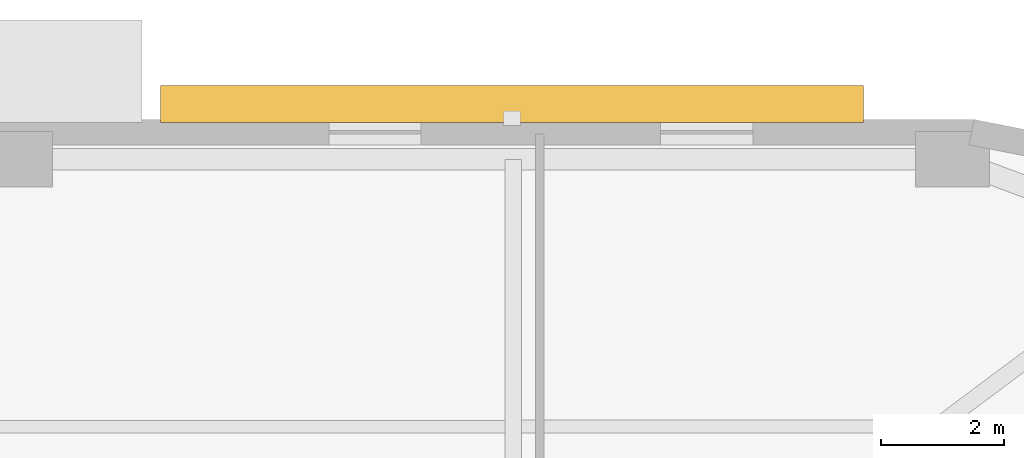
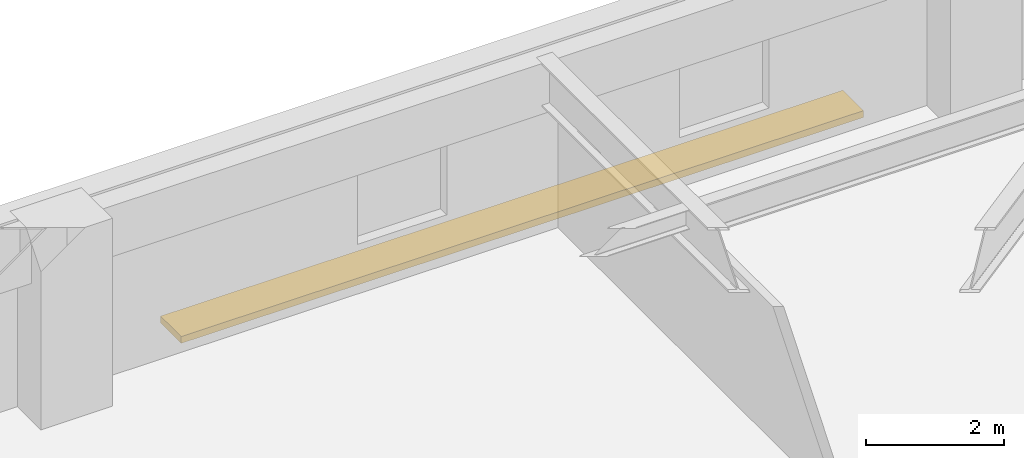
# One storey, part 14 of 14: 1 shading device.
"""IFC4 building model written with IfcOpenShell, lengths in metres."""

from ifc_helpers import new_model, si_unit, direction, frame, origin, origin_2d, place, context, subcontext, project, spatial, rectangle, extrude, material, type_object, element, save


model = new_model("IFC4")

# Units and contexts
model_context = context("Model", 3, precision=1e-05, world=origin(), true_north=direction((0.0, 1.0)))
body_context = subcontext(model_context, "Body", "Model", "MODEL_VIEW")
ifc_project = project(units=[si_unit("LENGTHUNIT", "METRE"), si_unit("AREAUNIT", "SQUARE_METRE"), si_unit("VOLUMEUNIT", "CUBIC_METRE"), si_unit("PLANEANGLEUNIT", "RADIAN"), si_unit("MASSUNIT", "GRAM", prefix="KILO")], contexts=[model_context])

# Site, building, storey
site_placement = place(None, origin())
site = spatial("IfcSite", under=ifc_project, at=site_placement, CompositionType="ELEMENT")
building_placement = place(site_placement, origin())
building = spatial("IfcBuilding", under=site, at=building_placement, Name="Kolvaren Arena Tower", CompositionType="ELEMENT")
storey_placement = place(building_placement, frame((0.0, 0.0, 90.75)))
storey = spatial("IfcBuildingStorey", under=building, at=storey_placement, Name="L20", CompositionType="ELEMENT", Elevation=90.75)

# Shading device
ifc_material = material(Name="Architectural precast GFRC and anodised aluminium sunshade", Category="concrete")
shading_device_type = type_object("IfcShadingDeviceType", Name="SHAD-SINE-A", PredefinedType="USERDEFINED", material=ifc_material)
shading_device_placement = place(storey_placement, frame((60.330078125, 49.75, -0.14013671875), z_axis=(0.0, 0.0, 1.0), x_axis=(1.0, 0.0, 0.0)))
element("IfcShadingDevice", 1, at=shading_device_placement, inside=storey, type_object=shading_device_type, Name="Sinusoidal Slab-Edge Sunshade Louvre (L20)", ObjectType="LOUVRE", PredefinedType="USERDEFINED", context=body_context, shape_type="SweptSolid", body=[
    extrude(rectangle(XDim=11.43994140625, YDim=0.599853515625, at=origin_2d()), origin(), (0.0, 0.0, 1.0), 0.1201171875),
])

save(model, "model.ifc")
